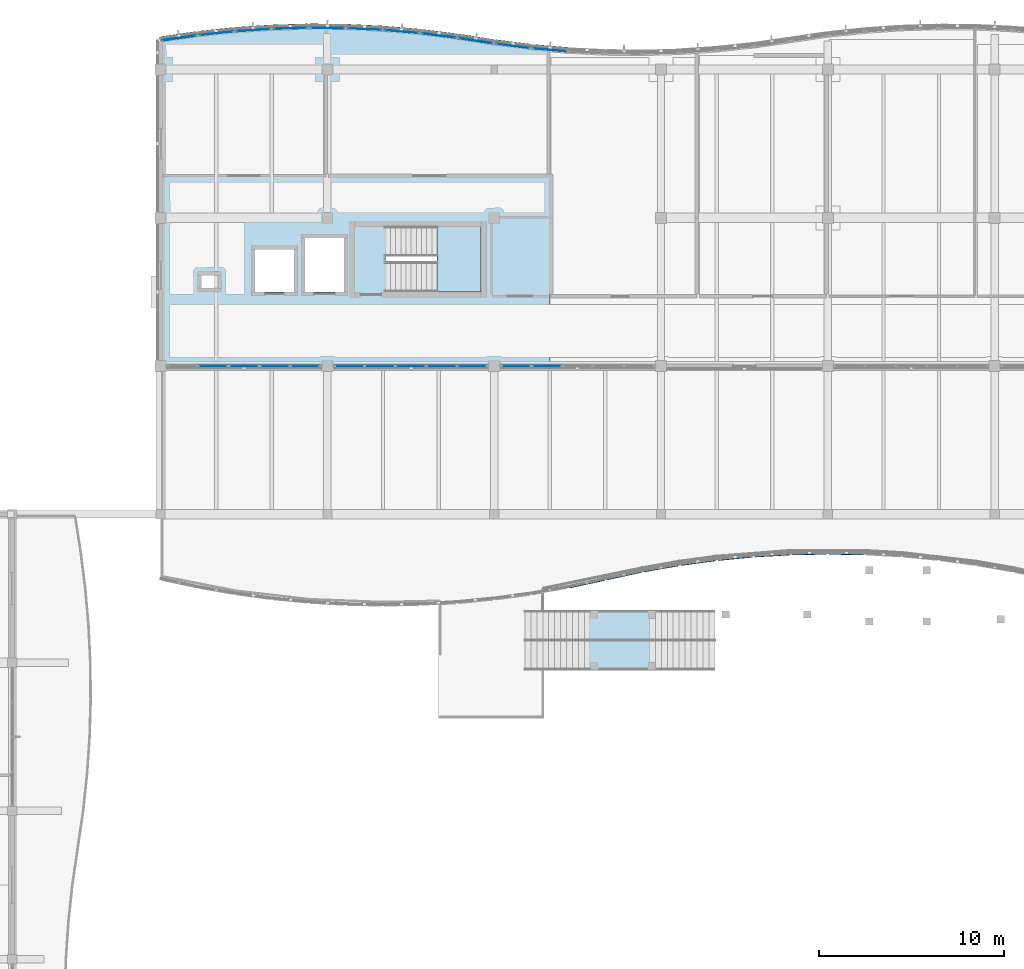
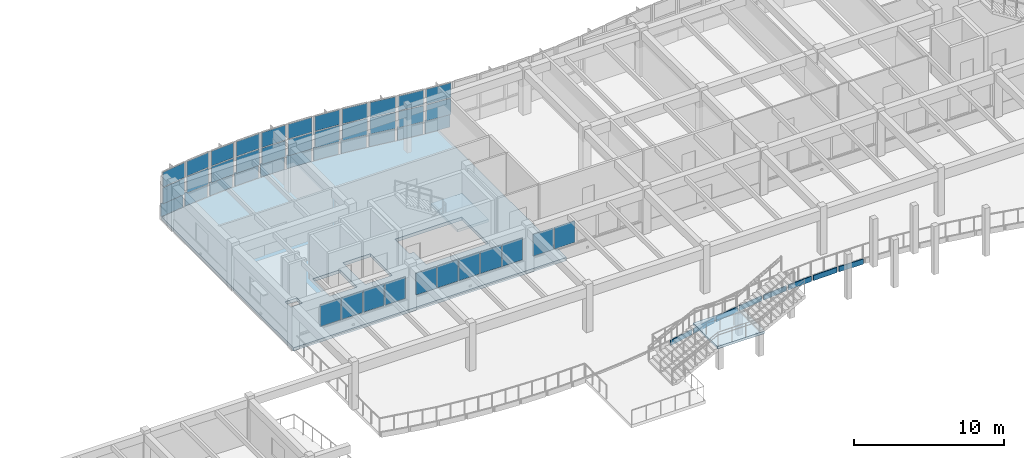
# One storey, part 48 of 89: 52 plates, 3 slabs, 16 elements without a shape of their own.
"""IFC4 building model written with IfcOpenShell, lengths in metres."""

from ifc_helpers import new_model, si_unit, direction, frame, origin, origin_2d, place, context, subcontext, project, spatial, polyline, rectangle, outline, extrude, material, layer, layer_set, type_object, element, aggregate, save


model = new_model("IFC4")

# Units and contexts
model_context = context("Model", 3, precision=1e-05, world=origin(), true_north=direction((0.0, 1.0)))
body_context = subcontext(model_context, "Body", "Model", "MODEL_VIEW")
ifc_project = project(units=[si_unit("LENGTHUNIT", "METRE"), si_unit("AREAUNIT", "SQUARE_METRE"), si_unit("VOLUMEUNIT", "CUBIC_METRE"), si_unit("PLANEANGLEUNIT", "RADIAN"), si_unit("MASSUNIT", "GRAM", prefix="KILO")], contexts=[model_context])

# Site, building, storey
site_placement = place(None, origin())
site = spatial("IfcSite", under=ifc_project, at=site_placement, CompositionType="ELEMENT")
building_placement = place(site_placement, origin())
building = spatial("IfcBuilding", under=site, at=building_placement, Name="Tonlespit Floodbar School", CompositionType="ELEMENT")
storey_placement = place(building_placement, frame((0.0, 0.0, 4.5)))
storey = spatial("IfcBuildingStorey", under=building, at=storey_placement, Name="L01", CompositionType="ELEMENT", Elevation=4.5)

# Curtain wall, plates
ifc_material_1 = material(Name="Anodised Aluminium", Category="aluminium")
ifc_layer_1 = layer(ifc_material_1, 0.159912109375)
ifc_layer_set_1 = layer_set([ifc_layer_1], Name="Anodised Aluminium")
curtain_wall_type_1 = type_object("IfcCurtainWallType", Name="CurtainWall_1950x2700", PredefinedType="NOTDEFINED", material=ifc_layer_set_1)
curtain_wall_1_placement = place(storey_placement, origin())
curtain_wall_1 = element("IfcCurtainWall", 1, at=curtain_wall_1_placement, inside=storey, type_object=curtain_wall_type_1, Name="L01 unitised curtain wall 0041", PredefinedType="NOTDEFINED")
ifc_material_2 = material(Name="Laminated Low-E Glass", Category="glass")
ifc_layer_2 = layer(ifc_material_2, 0.028076171875)
ifc_layer_set_2 = layer_set([ifc_layer_2], Name="Laminated Low-E Glass")
plate_type_1 = type_object("IfcPlateType", Name="CW_Panel_Glaz_28", PredefinedType="CURTAIN_PANEL", material=ifc_layer_set_2)
plate_1_placement = place(storey_placement, frame((47.0, 121.947998046875, 1.01513671875), z_axis=(0.0, 0.0, 1.0), x_axis=(0.994388797288, 0.105787143968, 0.0)))
plate_1 = element("IfcPlate", 2, at=plate_1_placement, type_object=plate_type_1, Name="CW-04 panel 1.1", PredefinedType="CURTAIN_PANEL", context=body_context, shape_type="SweptSolid", body=[
    extrude(rectangle(XDim=1.80126953125, YDim=0.028076171875, at=origin_2d()), origin(), (0.0, 0.0, 1.0), 1.306396484375),
])
plate_2_placement = place(storey_placement, frame((47.0, 121.947998046875, 2.38671875), z_axis=(0.0, 0.0, 1.0), x_axis=(0.994388797288, 0.105787143968, 0.0)))
plate_2 = element("IfcPlate", 3, at=plate_2_placement, type_object=plate_type_1, Name="CW-04 panel 1.2", PredefinedType="CURTAIN_PANEL", context=body_context, shape_type="SweptSolid", body=[
    extrude(rectangle(XDim=1.80126953125, YDim=0.028076171875, at=origin_2d()), origin(), (0.0, 0.0, 1.0), 1.198486328125),
])
aggregate(curtain_wall_1, [plate_1, plate_2])

ifc_layer_3 = layer(ifc_material_1, 0.159912109375)
ifc_layer_set_3 = layer_set([ifc_layer_3], Name="Anodised Aluminium")
curtain_wall_type_2 = type_object("IfcCurtainWallType", Name="CurtainWall_1900x2700", PredefinedType="NOTDEFINED", material=ifc_layer_set_3)
curtain_wall_2_placement = place(storey_placement, origin())
curtain_wall_2 = element("IfcCurtainWall", 4, at=curtain_wall_2_placement, inside=storey, type_object=curtain_wall_type_2, Name="L01 unitised curtain wall 0045", PredefinedType="NOTDEFINED")
plate_3_placement = place(storey_placement, frame((55.0, 122.1796875, 1.01513671875), z_axis=(0.0, 0.0, 1.0), x_axis=(0.998841500616, -0.048121270216, 0.0)))
plate_3 = element("IfcPlate", 5, at=plate_3_placement, type_object=plate_type_1, Name="CW-05 panel 1.1", PredefinedType="CURTAIN_PANEL", context=body_context, shape_type="SweptSolid", body=[
    extrude(rectangle(XDim=1.792236328125, YDim=0.028076171875, at=origin_2d()), origin(), (0.0, 0.0, 1.0), 1.306396484375),
])
plate_4_placement = place(storey_placement, frame((55.0, 122.1796875, 2.38671875), z_axis=(0.0, 0.0, 1.0), x_axis=(0.998841500616, -0.048121270216, 0.0)))
plate_4 = element("IfcPlate", 6, at=plate_4_placement, type_object=plate_type_1, Name="CW-05 panel 1.2", PredefinedType="CURTAIN_PANEL", context=body_context, shape_type="SweptSolid", body=[
    extrude(rectangle(XDim=1.792236328125, YDim=0.028076171875, at=origin_2d()), origin(), (0.0, 0.0, 1.0), 1.198486328125),
])
aggregate(curtain_wall_2, [plate_3, plate_4])

curtain_wall_3_placement = place(storey_placement, origin())
curtain_wall_3 = element("IfcCurtainWall", 7, at=curtain_wall_3_placement, inside=storey, type_object=curtain_wall_type_1, Name="L01 unitised curtain wall 0049", PredefinedType="NOTDEFINED")
plate_5_placement = place(storey_placement, frame((63.0, 121.268310546875, 1.01513671875), z_axis=(0.0, 0.0, 1.0), x_axis=(0.992155002499, -0.125013803299, 0.0)))
plate_5 = element("IfcPlate", 8, at=plate_5_placement, type_object=plate_type_1, Name="CW-04 panel 1.1", PredefinedType="CURTAIN_PANEL", context=body_context, shape_type="SweptSolid", body=[
    extrude(rectangle(XDim=1.805908203125, YDim=0.028076171875, at=origin_2d()), origin(), (0.0, 0.0, 1.0), 1.306396484375),
])
plate_6_placement = place(storey_placement, frame((63.0, 121.268310546875, 2.38671875), z_axis=(0.0, 0.0, 1.0), x_axis=(0.992155002499, -0.125013803299, 0.0)))
plate_6 = element("IfcPlate", 9, at=plate_6_placement, type_object=plate_type_1, Name="CW-04 panel 1.2", PredefinedType="CURTAIN_PANEL", context=body_context, shape_type="SweptSolid", body=[
    extrude(rectangle(XDim=1.805908203125, YDim=0.028076171875, at=origin_2d()), origin(), (0.0, 0.0, 1.0), 1.198486328125),
])
aggregate(curtain_wall_3, [plate_5, plate_6])

ifc_layer_4 = layer(ifc_material_1, 0.159912109375)
ifc_layer_set_4 = layer_set([ifc_layer_4], Name="Anodised Aluminium")
curtain_wall_type_3 = type_object("IfcCurtainWallType", Name="CurtainWall_8300x1900", PredefinedType="NOTDEFINED", material=ifc_layer_set_4)
curtain_wall_4_placement = place(storey_placement, origin())
curtain_wall_4 = element("IfcCurtainWall", 10, at=curtain_wall_4_placement, inside=storey, type_object=curtain_wall_type_3, Name="L01 unitised curtain wall 0081", PredefinedType="NOTDEFINED")
plate_7_placement = place(storey_placement, frame((51.811767578125, 104.0, 1.01513671875), z_axis=(0.0, 0.0, 1.0), x_axis=(-1.0, 0.0, 0.0)))
plate_7 = element("IfcPlate", 11, at=plate_7_placement, type_object=plate_type_1, Name="CW-06 panel 1.1", PredefinedType="CURTAIN_PANEL", context=body_context, shape_type="SweptSolid", body=[
    extrude(rectangle(XDim=1.56640625, YDim=0.028076171875, at=origin_2d()), origin(), (0.0, 0.0, 1.0), 1.764892578125),
])
plate_8_placement = place(storey_placement, frame((50.1640625, 104.0, 1.01513671875), z_axis=(0.0, 0.0, 1.0), x_axis=(-1.0, 0.0, 0.0)))
plate_8 = element("IfcPlate", 12, at=plate_8_placement, type_object=plate_type_1, Name="CW-06 panel 2.1", PredefinedType="CURTAIN_PANEL", context=body_context, shape_type="SweptSolid", body=[
    extrude(rectangle(XDim=1.59912109375, YDim=0.028076171875, at=origin_2d()), origin(), (0.0, 0.0, 1.0), 1.764892578125),
])
plate_9_placement = place(storey_placement, frame((48.5, 104.0, 1.01513671875), z_axis=(0.0, 0.0, 1.0), x_axis=(-1.0, 0.0, 0.0)))
plate_9 = element("IfcPlate", 13, at=plate_9_placement, type_object=plate_type_1, Name="CW-06 panel 3.1", PredefinedType="CURTAIN_PANEL", context=body_context, shape_type="SweptSolid", body=[
    extrude(rectangle(XDim=1.59912109375, YDim=0.028076171875, at=origin_2d()), origin(), (0.0, 0.0, 1.0), 1.764892578125),
])
plate_10_placement = place(storey_placement, frame((46.8359375, 104.0, 1.01513671875), z_axis=(0.0, 0.0, 1.0), x_axis=(-1.0, 0.0, 0.0)))
plate_10 = element("IfcPlate", 14, at=plate_10_placement, type_object=plate_type_1, Name="CW-06 panel 4.1", PredefinedType="CURTAIN_PANEL", context=body_context, shape_type="SweptSolid", body=[
    extrude(rectangle(XDim=1.59912109375, YDim=0.028076171875, at=origin_2d()), origin(), (0.0, 0.0, 1.0), 1.764892578125),
])
aggregate(curtain_wall_4, [plate_7, plate_8, plate_9, plate_10])

curtain_wall_5_placement = place(storey_placement, origin())
curtain_wall_5 = element("IfcCurtainWall", 15, at=curtain_wall_5_placement, inside=storey, type_object=curtain_wall_type_2, Name="L01 unitised curtain wall 0042", PredefinedType="NOTDEFINED")
ifc_layer_5 = layer(ifc_material_2, 0.031982421875)
ifc_layer_set_5 = layer_set([ifc_layer_5], Name="Laminated Low-E Glass")
plate_type_2 = type_object("IfcPlateType", Name="CW_Panel_Glaz_32", PredefinedType="CURTAIN_PANEL", material=ifc_layer_set_5)
plate_11_placement = place(storey_placement, frame((49.0, 122.121826171875, 1.01513671875), z_axis=(0.0, 0.0, 1.0), x_axis=(0.99773010165, 0.067339767311, 0.0)))
plate_11 = element("IfcPlate", 16, at=plate_11_placement, type_object=plate_type_2, Name="CW-05 panel 1.1", PredefinedType="CURTAIN_PANEL", context=body_context, shape_type="SweptSolid", body=[
    extrude(rectangle(XDim=1.794677734375, YDim=0.031982421875, at=origin_2d()), origin(), (0.0, 0.0, 1.0), 1.306396484375),
])
plate_12_placement = place(storey_placement, frame((49.0, 122.121826171875, 2.38671875), z_axis=(0.0, 0.0, 1.0), x_axis=(0.99773010165, 0.067339767311, 0.0)))
plate_12 = element("IfcPlate", 17, at=plate_12_placement, type_object=plate_type_2, Name="CW-05 panel 1.2", PredefinedType="CURTAIN_PANEL", context=body_context, shape_type="SweptSolid", body=[
    extrude(rectangle(XDim=1.794677734375, YDim=0.031982421875, at=origin_2d()), origin(), (0.0, 0.0, 1.0), 1.198486328125),
])
aggregate(curtain_wall_5, [plate_11, plate_12])

curtain_wall_6_placement = place(storey_placement, origin())
curtain_wall_6 = element("IfcCurtainWall", 18, at=curtain_wall_6_placement, inside=storey, type_object=curtain_wall_type_1, Name="L01 unitised curtain wall 0046", PredefinedType="NOTDEFINED")
plate_13_placement = place(storey_placement, frame((57.0, 122.044677734375, 1.01513671875), z_axis=(0.0, 0.0, 1.0), x_axis=(0.996249148412, -0.086531117454, 0.0)))
plate_13 = element("IfcPlate", 19, at=plate_13_placement, type_object=plate_type_2, Name="CW-04 panel 1.1", PredefinedType="CURTAIN_PANEL", context=body_context, shape_type="SweptSolid", body=[
    extrude(rectangle(XDim=1.797607421875, YDim=0.031982421875, at=origin_2d()), origin(), (0.0, 0.0, 1.0), 1.306396484375),
])
plate_14_placement = place(storey_placement, frame((57.0, 122.044677734375, 2.38671875), z_axis=(0.0, 0.0, 1.0), x_axis=(0.996249148412, -0.086531117454, 0.0)))
plate_14 = element("IfcPlate", 20, at=plate_14_placement, type_object=plate_type_2, Name="CW-04 panel 1.2", PredefinedType="CURTAIN_PANEL", context=body_context, shape_type="SweptSolid", body=[
    extrude(rectangle(XDim=1.797607421875, YDim=0.031982421875, at=origin_2d()), origin(), (0.0, 0.0, 1.0), 1.198486328125),
])
aggregate(curtain_wall_6, [plate_13, plate_14])

curtain_wall_7_placement = place(storey_placement, origin())
curtain_wall_7 = element("IfcCurtainWall", 21, at=curtain_wall_7_placement, inside=storey, type_object=curtain_wall_type_1, Name="L01 unitised curtain wall 0050", PredefinedType="NOTDEFINED")
plate_15_placement = place(storey_placement, frame((65.0, 121.055419921875, 1.01513671875), z_axis=(0.0, 0.0, 1.0), x_axis=(0.996249148412, -0.086531117454, 0.0)))
plate_15 = element("IfcPlate", 22, at=plate_15_placement, type_object=plate_type_2, Name="CW-04 panel 1.1", PredefinedType="CURTAIN_PANEL", context=body_context, shape_type="SweptSolid", body=[
    extrude(rectangle(XDim=1.797607421875, YDim=0.031982421875, at=origin_2d()), origin(), (0.0, 0.0, 1.0), 1.306396484375),
])
plate_16_placement = place(storey_placement, frame((65.0, 121.055419921875, 2.38671875), z_axis=(0.0, 0.0, 1.0), x_axis=(0.996249148412, -0.086531117454, 0.0)))
plate_16 = element("IfcPlate", 23, at=plate_16_placement, type_object=plate_type_2, Name="CW-04 panel 1.2", PredefinedType="CURTAIN_PANEL", context=body_context, shape_type="SweptSolid", body=[
    extrude(rectangle(XDim=1.797607421875, YDim=0.031982421875, at=origin_2d()), origin(), (0.0, 0.0, 1.0), 1.198486328125),
])
aggregate(curtain_wall_7, [plate_15, plate_16])

curtain_wall_8_placement = place(storey_placement, origin())
curtain_wall_8 = element("IfcCurtainWall", 24, at=curtain_wall_8_placement, inside=storey, type_object=curtain_wall_type_2, Name="L01 unitised curtain wall 0043", PredefinedType="NOTDEFINED")
ifc_layer_6 = layer(ifc_material_2, 0.035888671875)
ifc_layer_set_6 = layer_set([ifc_layer_6], Name="Laminated Low-E Glass")
plate_type_3 = type_object("IfcPlateType", Name="CW_Panel_Glaz_36", PredefinedType="CURTAIN_PANEL", material=ifc_layer_set_6)
plate_17_placement = place(storey_placement, frame((51.0, 122.21826171875, 1.01513671875), z_axis=(0.0, 0.0, 1.0), x_axis=(0.999585477883, 0.028790144226, 0.0)))
plate_17 = element("IfcPlate", 25, at=plate_17_placement, type_object=plate_type_3, Name="CW-05 panel 1.1", PredefinedType="CURTAIN_PANEL", context=body_context, shape_type="SweptSolid", body=[
    extrude(rectangle(XDim=1.790771484375, YDim=0.035888671875, at=origin_2d()), origin(), (0.0, 0.0, 1.0), 1.306396484375),
])
plate_18_placement = place(storey_placement, frame((51.0, 122.21826171875, 2.38671875), z_axis=(0.0, 0.0, 1.0), x_axis=(0.999585477883, 0.028790144226, 0.0)))
plate_18 = element("IfcPlate", 26, at=plate_18_placement, type_object=plate_type_3, Name="CW-05 panel 1.2", PredefinedType="CURTAIN_PANEL", context=body_context, shape_type="SweptSolid", body=[
    extrude(rectangle(XDim=1.790771484375, YDim=0.035888671875, at=origin_2d()), origin(), (0.0, 0.0, 1.0), 1.198486328125),
])
aggregate(curtain_wall_8, [plate_17, plate_18])

curtain_wall_9_placement = place(storey_placement, origin())
curtain_wall_9 = element("IfcCurtainWall", 27, at=curtain_wall_9_placement, inside=storey, type_object=curtain_wall_type_1, Name="L01 unitised curtain wall 0047", PredefinedType="NOTDEFINED")
plate_19_placement = place(storey_placement, frame((59.0, 121.831787109375, 1.01513671875), z_axis=(0.0, 0.0, 1.0), x_axis=(0.992155002499, -0.125013803299, 0.0)))
plate_19 = element("IfcPlate", 28, at=plate_19_placement, type_object=plate_type_3, Name="CW-04 panel 1.1", PredefinedType="CURTAIN_PANEL", context=body_context, shape_type="SweptSolid", body=[
    extrude(rectangle(XDim=1.805908203125, YDim=0.035888671875, at=origin_2d()), origin(), (0.0, 0.0, 1.0), 1.306396484375),
])
plate_20_placement = place(storey_placement, frame((59.0, 121.831787109375, 2.38671875), z_axis=(0.0, 0.0, 1.0), x_axis=(0.992155002499, -0.125013803299, 0.0)))
plate_20 = element("IfcPlate", 29, at=plate_20_placement, type_object=plate_type_3, Name="CW-04 panel 1.2", PredefinedType="CURTAIN_PANEL", context=body_context, shape_type="SweptSolid", body=[
    extrude(rectangle(XDim=1.805908203125, YDim=0.035888671875, at=origin_2d()), origin(), (0.0, 0.0, 1.0), 1.198486328125),
])
aggregate(curtain_wall_9, [plate_19, plate_20])

curtain_wall_10_placement = place(storey_placement, origin())
curtain_wall_10 = element("IfcCurtainWall", 30, at=curtain_wall_10_placement, inside=storey, type_object=curtain_wall_type_3, Name="L01 unitised curtain wall 0079", PredefinedType="NOTDEFINED")
plate_21_placement = place(storey_placement, frame((64.8359375, 104.0, 1.01513671875), z_axis=(0.0, 0.0, 1.0), x_axis=(-1.0, 0.0, 0.0)))
plate_21 = element("IfcPlate", 31, at=plate_21_placement, type_object=plate_type_3, Name="CW-06 panel 4.1", PredefinedType="CURTAIN_PANEL", context=body_context, shape_type="SweptSolid", body=[
    extrude(rectangle(XDim=1.59912109375, YDim=0.035888671875, at=origin_2d()), origin(), (0.0, 0.0, 1.0), 1.764892578125),
])
plate_22_placement = place(storey_placement, frame((63.188232421875, 104.0, 1.01513671875), z_axis=(0.0, 0.0, 1.0), x_axis=(-1.0, 0.0, 0.0)))
plate_22 = element("IfcPlate", 32, at=plate_22_placement, type_object=plate_type_3, Name="CW-06 panel 5.1", PredefinedType="CURTAIN_PANEL", context=body_context, shape_type="SweptSolid", body=[
    extrude(rectangle(XDim=1.56640625, YDim=0.035888671875, at=origin_2d()), origin(), (0.0, 0.0, 1.0), 1.764892578125),
])
aggregate(curtain_wall_10, [plate_21, plate_22])

curtain_wall_11_placement = place(storey_placement, origin())
curtain_wall_11 = element("IfcCurtainWall", 33, at=curtain_wall_11_placement, inside=storey, type_object=curtain_wall_type_1, Name="L01 unitised curtain wall 0040", PredefinedType="NOTDEFINED")
ifc_layer_7 = layer(ifc_material_2, 0.0419921875)
ifc_layer_set_7 = layer_set([ifc_layer_7], Name="Laminated Low-E Glass")
plate_type_4 = type_object("IfcPlateType", Name="CW_Panel_Glaz_42", PredefinedType="CURTAIN_PANEL", material=ifc_layer_set_7)
plate_23_placement = place(storey_placement, frame((45.0, 121.69580078125, 1.01513671875), z_axis=(0.0, 0.0, 1.0), x_axis=(0.989541561858, 0.144248041079, 0.0)))
plate_23 = element("IfcPlate", 34, at=plate_23_placement, type_object=plate_type_4, Name="CW-04 panel 1.1", PredefinedType="CURTAIN_PANEL", context=body_context, shape_type="SweptSolid", body=[
    extrude(rectangle(XDim=1.81103515625, YDim=0.0419921875, at=origin_2d()), origin(), (0.0, 0.0, 1.0), 1.306396484375),
])
plate_24_placement = place(storey_placement, frame((45.0, 121.69580078125, 2.38671875), z_axis=(0.0, 0.0, 1.0), x_axis=(0.989541561858, 0.144248041079, 0.0)))
plate_24 = element("IfcPlate", 35, at=plate_24_placement, type_object=plate_type_4, Name="CW-04 panel 1.2", PredefinedType="CURTAIN_PANEL", context=body_context, shape_type="SweptSolid", body=[
    extrude(rectangle(XDim=1.81103515625, YDim=0.0419921875, at=origin_2d()), origin(), (0.0, 0.0, 1.0), 1.198486328125),
])
aggregate(curtain_wall_11, [plate_23, plate_24])

curtain_wall_12_placement = place(storey_placement, origin())
curtain_wall_12 = element("IfcCurtainWall", 36, at=curtain_wall_12_placement, inside=storey, type_object=curtain_wall_type_2, Name="L01 unitised curtain wall 0044", PredefinedType="NOTDEFINED")
plate_25_placement = place(storey_placement, frame((53.0, 122.2373046875, 1.01513671875), z_axis=(0.0, 0.0, 1.0), x_axis=(0.999954083024, -0.009582893292, 0.0)))
plate_25 = element("IfcPlate", 37, at=plate_25_placement, type_object=plate_type_4, Name="CW-05 panel 1.1", PredefinedType="CURTAIN_PANEL", context=body_context, shape_type="SweptSolid", body=[
    extrude(rectangle(XDim=1.7900390625, YDim=0.0419921875, at=origin_2d()), origin(), (0.0, 0.0, 1.0), 1.306396484375),
])
plate_26_placement = place(storey_placement, frame((53.0, 122.2373046875, 2.38671875), z_axis=(0.0, 0.0, 1.0), x_axis=(0.999954083024, -0.009582893292, 0.0)))
plate_26 = element("IfcPlate", 38, at=plate_26_placement, type_object=plate_type_4, Name="CW-05 panel 1.2", PredefinedType="CURTAIN_PANEL", context=body_context, shape_type="SweptSolid", body=[
    extrude(rectangle(XDim=1.7900390625, YDim=0.0419921875, at=origin_2d()), origin(), (0.0, 0.0, 1.0), 1.198486328125),
])
aggregate(curtain_wall_12, [plate_25, plate_26])

curtain_wall_13_placement = place(storey_placement, origin())
curtain_wall_13 = element("IfcCurtainWall", 39, at=curtain_wall_13_placement, inside=storey, type_object=curtain_wall_type_1, Name="L01 unitised curtain wall 0048", PredefinedType="NOTDEFINED")
plate_27_placement = place(storey_placement, frame((61.0, 121.550048828125, 1.01513671875), z_axis=(0.0, 0.0, 1.0), x_axis=(0.988102576465, -0.153796288585, 0.0)))
plate_27 = element("IfcPlate", 40, at=plate_27_placement, type_object=plate_type_4, Name="CW-04 panel 1.1", PredefinedType="CURTAIN_PANEL", context=body_context, shape_type="SweptSolid", body=[
    extrude(rectangle(XDim=1.814208984375, YDim=0.0419921875, at=origin_2d()), origin(), (0.0, 0.0, 1.0), 1.306396484375),
])
plate_28_placement = place(storey_placement, frame((61.0, 121.550048828125, 2.38671875), z_axis=(0.0, 0.0, 1.0), x_axis=(0.988102576465, -0.153796288585, 0.0)))
plate_28 = element("IfcPlate", 41, at=plate_28_placement, type_object=plate_type_4, Name="CW-04 panel 1.2", PredefinedType="CURTAIN_PANEL", context=body_context, shape_type="SweptSolid", body=[
    extrude(rectangle(XDim=1.814208984375, YDim=0.0419921875, at=origin_2d()), origin(), (0.0, 0.0, 1.0), 1.198486328125),
])
aggregate(curtain_wall_13, [plate_27, plate_28])

curtain_wall_14_placement = place(storey_placement, origin())
curtain_wall_14 = element("IfcCurtainWall", 42, at=curtain_wall_14_placement, inside=storey, type_object=curtain_wall_type_3, Name="L01 unitised curtain wall 0080", PredefinedType="NOTDEFINED")
plate_29_placement = place(storey_placement, frame((60.811767578125, 104.0, 1.01513671875), z_axis=(0.0, 0.0, 1.0), x_axis=(-1.0, 0.0, 0.0)))
plate_29 = element("IfcPlate", 43, at=plate_29_placement, type_object=plate_type_4, Name="CW-06 panel 1.1", PredefinedType="CURTAIN_PANEL", context=body_context, shape_type="SweptSolid", body=[
    extrude(rectangle(XDim=1.56640625, YDim=0.0419921875, at=origin_2d()), origin(), (0.0, 0.0, 1.0), 1.764892578125),
])
plate_30_placement = place(storey_placement, frame((59.1640625, 104.0, 1.01513671875), z_axis=(0.0, 0.0, 1.0), x_axis=(-1.0, 0.0, 0.0)))
plate_30 = element("IfcPlate", 44, at=plate_30_placement, type_object=plate_type_4, Name="CW-06 panel 2.1", PredefinedType="CURTAIN_PANEL", context=body_context, shape_type="SweptSolid", body=[
    extrude(rectangle(XDim=1.59912109375, YDim=0.0419921875, at=origin_2d()), origin(), (0.0, 0.0, 1.0), 1.764892578125),
])
plate_31_placement = place(storey_placement, frame((57.5, 104.0, 1.01513671875), z_axis=(0.0, 0.0, 1.0), x_axis=(-1.0, 0.0, 0.0)))
plate_31 = element("IfcPlate", 45, at=plate_31_placement, type_object=plate_type_4, Name="CW-06 panel 3.1", PredefinedType="CURTAIN_PANEL", context=body_context, shape_type="SweptSolid", body=[
    extrude(rectangle(XDim=1.59912109375, YDim=0.0419921875, at=origin_2d()), origin(), (0.0, 0.0, 1.0), 1.764892578125),
])
plate_32_placement = place(storey_placement, frame((55.8359375, 104.0, 1.01513671875), z_axis=(0.0, 0.0, 1.0), x_axis=(-1.0, 0.0, 0.0)))
plate_32 = element("IfcPlate", 46, at=plate_32_placement, type_object=plate_type_4, Name="CW-06 panel 4.1", PredefinedType="CURTAIN_PANEL", context=body_context, shape_type="SweptSolid", body=[
    extrude(rectangle(XDim=1.59912109375, YDim=0.0419921875, at=origin_2d()), origin(), (0.0, 0.0, 1.0), 1.764892578125),
])
plate_33_placement = place(storey_placement, frame((54.188232421875, 104.0, 1.01513671875), z_axis=(0.0, 0.0, 1.0), x_axis=(-1.0, 0.0, 0.0)))
plate_33 = element("IfcPlate", 47, at=plate_33_placement, type_object=plate_type_4, Name="CW-06 panel 5.1", PredefinedType="CURTAIN_PANEL", context=body_context, shape_type="SweptSolid", body=[
    extrude(rectangle(XDim=1.56640625, YDim=0.0419921875, at=origin_2d()), origin(), (0.0, 0.0, 1.0), 1.764892578125),
])
aggregate(curtain_wall_14, [plate_29, plate_30, plate_31, plate_32, plate_33])

# Plates
ifc_material_3 = material(Name="White Architectural Aluminium", Category="aluminium")
ifc_layer_8 = layer(ifc_material_3, 0.06494140625)
ifc_layer_set_8 = layer_set([ifc_layer_8], Name="White Architectural Aluminium")
plate_type_5 = type_object("IfcPlateType", Name="FacadeRibbon_White_65", PredefinedType="SHEET", material=ifc_layer_set_8)
plate_34_placement = place(storey_placement, frame((44.9736328125, 121.8759765625, -0.1201171875), z_axis=(0.0, 0.0, 1.0), x_axis=(0.989537627347, 0.144275029245, 0.0)))
element("IfcPlate", 48, at=plate_34_placement, inside=storey, type_object=plate_type_5, Name="L01 flowing white street spandrel ribbon 0048", PredefinedType="SHEET", context=body_context, shape_type="SweptSolid", body=[
    extrude(rectangle(XDim=1.861083984375, YDim=0.06494140625, at=origin_2d()), origin(), (0.0, 0.0, 1.0), 1.070068359375),
])
plate_35_placement = place(storey_placement, frame((46.980712890625, 122.12890625, -0.1201171875), z_axis=(0.0, 0.0, 1.0), x_axis=(0.99439234017, 0.105753835922, 0.0)))
element("IfcPlate", 49, at=plate_35_placement, inside=storey, type_object=plate_type_5, Name="L01 flowing white street spandrel ribbon 0049", PredefinedType="SHEET", context=body_context, shape_type="SweptSolid", body=[
    extrude(rectangle(XDim=1.851318359375, YDim=0.06494140625, at=origin_2d()), origin(), (0.0, 0.0, 1.0), 1.070068359375),
])
plate_36_placement = place(storey_placement, frame((48.98779296875, 122.303466796875, -0.1201171875), z_axis=(0.0, 0.0, 1.0), x_axis=(0.997729639049, 0.067346621018, 0.0)))
element("IfcPlate", 50, at=plate_36_placement, inside=storey, type_object=plate_type_5, Name="L01 flowing white street spandrel ribbon 0050", PredefinedType="SHEET", context=body_context, shape_type="SweptSolid", body=[
    extrude(rectangle(XDim=1.844482421875, YDim=0.06494140625, at=origin_2d()), origin(), (0.0, 0.0, 1.0), 1.070068359375),
])
plate_37_placement = place(storey_placement, frame((50.994873046875, 122.400146484375, -0.1201171875), z_axis=(0.0, 0.0, 1.0), x_axis=(0.999584110869, 0.02883756748, 0.0)))
element("IfcPlate", 51, at=plate_37_placement, inside=storey, type_object=plate_type_5, Name="L01 flowing white street spandrel ribbon 0051", PredefinedType="SHEET", context=body_context, shape_type="SweptSolid", body=[
    extrude(rectangle(XDim=1.8408203125, YDim=0.06494140625, at=origin_2d()), origin(), (0.0, 0.0, 1.0), 1.070068359375),
])
plate_38_placement = place(storey_placement, frame((53.001708984375, 122.41943359375, -0.1201171875), z_axis=(0.0, 0.0, 1.0), x_axis=(0.999953926969, -0.009599163462, 0.0)))
element("IfcPlate", 52, at=plate_38_placement, inside=storey, type_object=plate_type_5, Name="L01 flowing white street spandrel ribbon 0052", PredefinedType="SHEET", context=body_context, shape_type="SweptSolid", body=[
    extrude(rectangle(XDim=1.840087890625, YDim=0.06494140625, at=origin_2d()), origin(), (0.0, 0.0, 1.0), 1.070068359375),
])
plate_39_placement = place(storey_placement, frame((55.0087890625, 122.361328125, -0.1201171875), z_axis=(0.0, 0.0, 1.0), x_axis=(0.998842769234, -0.048094930587, 0.0)))
element("IfcPlate", 53, at=plate_39_placement, inside=storey, type_object=plate_type_5, Name="L01 flowing white street spandrel ribbon 0053", PredefinedType="SHEET", context=body_context, shape_type="SweptSolid", body=[
    extrude(rectangle(XDim=1.84228515625, YDim=0.06494140625, at=origin_2d()), origin(), (0.0, 0.0, 1.0), 1.070068359375),
])
plate_40_placement = place(storey_placement, frame((57.015869140625, 122.225830078125, -0.1201171875), z_axis=(0.0, 0.0, 1.0), x_axis=(0.996245486492, -0.086573267488, 0.0)))
element("IfcPlate", 54, at=plate_40_placement, inside=storey, type_object=plate_type_5, Name="L01 flowing white street spandrel ribbon 0054", PredefinedType="SHEET", context=body_context, shape_type="SweptSolid", body=[
    extrude(rectangle(XDim=1.847412109375, YDim=0.06494140625, at=origin_2d()), origin(), (0.0, 0.0, 1.0), 1.070068359375),
])
plate_41_placement = place(storey_placement, frame((59.022705078125, 122.01220703125, -0.1201171875), z_axis=(0.0, 0.0, 1.0), x_axis=(0.99215533612, -0.125011155539, 0.0)))
element("IfcPlate", 55, at=plate_41_placement, inside=storey, type_object=plate_type_5, Name="L01 flowing white street spandrel ribbon 0055", PredefinedType="SHEET", context=body_context, shape_type="SweptSolid", body=[
    extrude(rectangle(XDim=1.855712890625, YDim=0.06494140625, at=origin_2d()), origin(), (0.0, 0.0, 1.0), 1.070068359375),
])
plate_42_placement = place(storey_placement, frame((61.028076171875, 121.729736328125, -0.1201171875), z_axis=(0.0, 0.0, 1.0), x_axis=(0.988094768361, -0.153846445322, 0.0)))
element("IfcPlate", 56, at=plate_42_placement, inside=storey, type_object=plate_type_5, Name="L01 flowing white street spandrel ribbon 0056", PredefinedType="SHEET", context=body_context, shape_type="SweptSolid", body=[
    extrude(rectangle(XDim=1.864013671875, YDim=0.06494140625, at=origin_2d()), origin(), (0.0, 0.0, 1.0), 1.070068359375),
])
plate_43_placement = place(storey_placement, frame((63.022705078125, 121.448974609375, -0.1201171875), z_axis=(0.0, 0.0, 1.0), x_axis=(0.99215533612, -0.125011155539, 0.0)))
element("IfcPlate", 57, at=plate_43_placement, inside=storey, type_object=plate_type_5, Name="L01 flowing white street spandrel ribbon 0057", PredefinedType="SHEET", context=body_context, shape_type="SweptSolid", body=[
    extrude(rectangle(XDim=1.855712890625, YDim=0.06494140625, at=origin_2d()), origin(), (0.0, 0.0, 1.0), 1.070068359375),
])
plate_44_placement = place(storey_placement, frame((65.015869140625, 121.23681640625, -0.1201171875), z_axis=(0.0, 0.0, 1.0), x_axis=(0.996245486492, -0.086573267488, 0.0)))
element("IfcPlate", 58, at=plate_44_placement, inside=storey, type_object=plate_type_5, Name="L01 flowing white street spandrel ribbon 0058", PredefinedType="SHEET", context=body_context, shape_type="SweptSolid", body=[
    extrude(rectangle(XDim=1.847412109375, YDim=0.06494140625, at=origin_2d()), origin(), (0.0, 0.0, 1.0), 1.070068359375),
])
for number, where, z_axis, x_axis, name in (
    (59, (67.0, 92.261474609375, -0.300048828125), (0.0, 0.0, 1.0), (0.977356843161, 0.21159773422, 0.0), "L01 flowing white street spandrel ribbon 0106"),
    (60, (69.0, 92.694580078125, -0.300048828125), (0.0, 0.0, 1.0), (0.977356843161, 0.21159773422, 0.0), "L01 flowing white street spandrel ribbon 0107"),
):
    element("IfcPlate", number, at=place(storey_placement, frame(where, z_axis=z_axis, x_axis=x_axis)), inside=storey, type_object=plate_type_5, Name=name, PredefinedType="SHEET", context=body_context, shape_type="SweptSolid", body=[
        extrude(rectangle(XDim=1.88623046875, YDim=0.06494140625, at=origin_2d()), origin(), (0.0, 0.0, 1.0), 0.419921875),
    ])
plate_45_placement = place(storey_placement, frame((71.0, 93.0869140625, -0.300048828125), z_axis=(0.0, 0.0, 1.0), x_axis=(0.984904884962, 0.17309641122, 0.0)))
element("IfcPlate", 61, at=plate_45_placement, inside=storey, type_object=plate_type_5, Name="L01 flowing white street spandrel ribbon 0108", PredefinedType="SHEET", context=body_context, shape_type="SweptSolid", body=[
    extrude(rectangle(XDim=1.87060546875, YDim=0.06494140625, at=origin_2d()), origin(), (0.0, 0.0, 1.0), 0.419921875),
])
plate_46_placement = place(storey_placement, frame((73.0, 93.3984375, -0.300048828125), z_axis=(0.0, 0.0, 1.0), x_axis=(0.990898113281, 0.13461400037, 0.0)))
element("IfcPlate", 62, at=plate_46_placement, inside=storey, type_object=plate_type_5, Name="L01 flowing white street spandrel ribbon 0109", PredefinedType="SHEET", context=body_context, shape_type="SweptSolid", body=[
    extrude(rectangle(XDim=1.8583984375, YDim=0.06494140625, at=origin_2d()), origin(), (0.0, 0.0, 1.0), 0.419921875),
])
plate_47_placement = place(storey_placement, frame((75.0, 93.630859375, -0.300048828125), z_axis=(0.0, 0.0, 1.0), x_axis=(0.995361841764, 0.096201891669, 0.0)))
element("IfcPlate", 63, at=plate_47_placement, inside=storey, type_object=plate_type_5, Name="L01 flowing white street spandrel ribbon 0110", PredefinedType="SHEET", context=body_context, shape_type="SweptSolid", body=[
    extrude(rectangle(XDim=1.849365234375, YDim=0.06494140625, at=origin_2d()), origin(), (0.0, 0.0, 1.0), 0.419921875),
])
plate_48_placement = place(storey_placement, frame((77.0, 93.785400390625, -0.300048828125), z_axis=(0.0, 0.0, 1.0), x_axis=(0.998333769428, 0.057703421212, 0.0)))
element("IfcPlate", 64, at=plate_48_placement, inside=storey, type_object=plate_type_5, Name="L01 flowing white street spandrel ribbon 0111", PredefinedType="SHEET", context=body_context, shape_type="SweptSolid", body=[
    extrude(rectangle(XDim=1.84326171875, YDim=0.06494140625, at=origin_2d()), origin(), (0.0, 0.0, 1.0), 0.419921875),
])
for number, where, z_axis, x_axis, name in (
    (65, (79.0, 93.8623046875, -0.300048828125), (0.0, 0.0, 1.0), (0.999814772764, 0.01924630259, 0.0), "L01 flowing white street spandrel ribbon 0112"),
    (66, (81.0, 93.8623046875, -0.300048828125), (0.0, 0.0, 1.0), (0.999814772764, -0.01924630259, 0.0), "L01 flowing white street spandrel ribbon 0113"),
):
    element("IfcPlate", number, at=place(storey_placement, frame(where, z_axis=z_axis, x_axis=x_axis)), inside=storey, type_object=plate_type_5, Name=name, PredefinedType="SHEET", context=body_context, shape_type="SweptSolid", body=[
        extrude(rectangle(XDim=1.84033203125, YDim=0.06494140625, at=origin_2d()), origin(), (0.0, 0.0, 1.0), 0.419921875),
    ])

# Stair, slab
ifc_material_4 = material(Name="Concrete C40/50", Category="concrete")
stair_type_1 = type_object("IfcStairType", Name="Stair_Core_Upper", PredefinedType="HALF_TURN_STAIR", material=ifc_material_4)
stair_1_placement = place(storey_placement, origin())
stair_1 = element("IfcStair", 67, at=stair_1_placement, inside=storey, type_object=stair_type_1, Name="L01 Core C1 escape stair", PredefinedType="HALF_TURN_STAIR")
ifc_layer_9 = layer(ifc_material_4, 0.199951171875)
ifc_layer_set_9 = layer_set([ifc_layer_9], Name="Concrete C40/50")
slab_type_1 = type_object("IfcSlabType", Name="Landing_Core_RC200", PredefinedType="LANDING", material=ifc_layer_set_9)
slab_1_placement = place(storey_placement, frame((0.0, 0.0, 1.75)))
slab_1 = element("IfcSlab", 68, at=slab_1_placement, type_object=slab_type_1, Name="ST-C1 landing 1", PredefinedType="LANDING", context=body_context, shape_type="SweptSolid", body=[
    extrude(outline(polyline([(58.919921875, 108.0), (61.300048828125, 108.0), (61.300048828125, 111.5400390625), (58.919921875, 111.5400390625), (58.919921875, 108.0)])), origin(), (0.0, 0.0, 1.0), 0.199951171875),
])
aggregate(stair_1, [slab_1])

ifc_material_5 = material(Name="White Architectural Precast concrete C40/50", Category="concrete")
stair_type_2 = type_object("IfcStairType", Name="Stair_Court_3200_Upp", PredefinedType="STRAIGHT_RUN_STAIR", material=ifc_material_5)
stair_2_placement = place(storey_placement, origin())
stair_2 = element("IfcStair", 69, at=stair_2_placement, inside=storey, type_object=stair_type_2, Name="L01 stair ST-CT2", PredefinedType="STRAIGHT_RUN_STAIR")
ifc_layer_10 = layer(ifc_material_5, 0.199951171875)
ifc_layer_set_10 = layer_set([ifc_layer_10], Name="White Architectural Precast concrete C40/50")
slab_type_2 = type_object("IfcSlabType", Name="Landing_Court_RC215", PredefinedType="LANDING", material=ifc_layer_set_10)
slab_2_placement = place(storey_placement, frame((0.0, 0.0, 1.75)))
slab_2 = element("IfcSlab", 70, at=slab_2_placement, type_object=slab_type_2, Name="ST-CT2 landing 1", PredefinedType="LANDING", context=body_context, shape_type="SweptSolid", body=[
    extrude(outline(polyline([(67.10009765625, 87.60009765625), (70.739990234375, 87.60009765625), (70.739990234375, 90.800048828125), (67.10009765625, 90.800048828125), (67.10009765625, 87.60009765625)])), origin(), (0.0, 0.0, 1.0), 0.199951171875),
])
aggregate(stair_2, [slab_2])

# Slab
ifc_layer_11 = layer(ifc_material_4, 0.260009765625)
ifc_layer_set_11 = layer_set([ifc_layer_11], Name="Concrete C40/50")
slab_type_3 = type_object("IfcSlabType", Name="Slab_Podium_RC_250", PredefinedType="FLOOR", material=ifc_layer_set_11)
slab_3_placement = place(storey_placement, frame((0.0, 0.0, -0.260009765625)))
element("IfcSlab", 71, at=slab_3_placement, inside=storey, type_object=slab_type_3, Name="L01 V1 L01 west curved street slab", PredefinedType="FLOOR", context=body_context, shape_type="SweptSolid", body=[
    extrude(outline(polyline([(44.0, 104.0), (65.0, 104.0), (65.0, 121.045654296875), (62.89990234375, 121.27099609375), (60.800048828125, 121.582763671875), (58.699951171875, 121.87841796875), (56.60009765625, 122.08740234375), (54.5, 122.2109375), (52.39990234375, 122.249267578125), (50.300048828125, 122.202880859375), (48.199951171875, 122.0712890625), (46.10009765625, 121.85400390625), (44.0, 121.550048828125), (44.0, 104.0)]), holes=[polyline([(56.5, 108.0), (61.300048828125, 108.0), (61.300048828125, 111.5400390625), (56.14501953125, 111.5400390625), (56.14501953125, 109.6201171875), (56.5, 109.6201171875), (56.5, 108.0)]), polyline([(51.800048828125, 108.0), (53.89990234375, 108.0), (53.89990234375, 110.89990234375), (51.800048828125, 110.89990234375), (51.800048828125, 108.0)]), polyline([(49.10009765625, 108.0), (51.199951171875, 108.0), (51.199951171875, 110.300048828125), (49.10009765625, 110.300048828125), (49.10009765625, 108.0)]), polyline([(46.199951171875, 108.199951171875), (47.10009765625, 108.199951171875), (47.10009765625, 108.89990234375), (46.199951171875, 108.89990234375), (46.199951171875, 108.199951171875)])]), origin(), (0.0, 0.0, 1.0), 0.260009765625),
])

save(model, "model.ifc")
